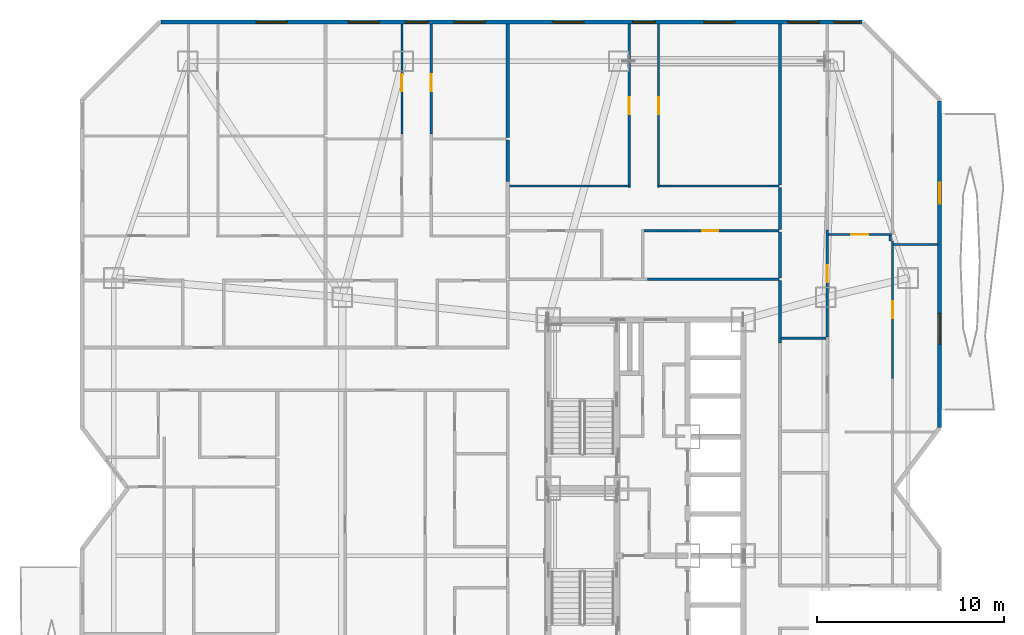
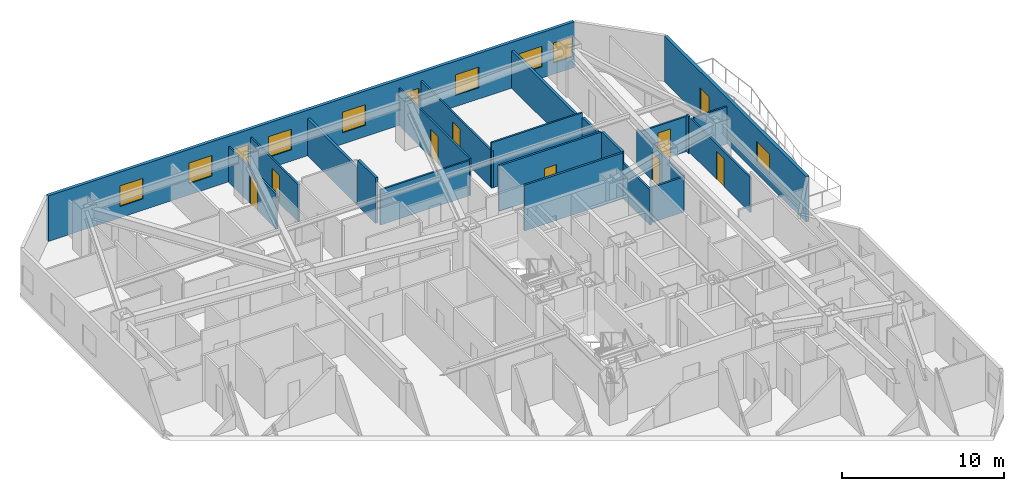
# One storey, part 13 of 16: 22 walls, 10 windows, 9 doors, 19 openings.
"""IFC4 building model written with IfcOpenShell, lengths in metres."""

from ifc_helpers import new_model, si_unit, direction, frame, frame_2d, origin, place, context, subcontext, project, spatial, rectangle, extrude, material, layer, layer_set, type_object, element, fill, save


model = new_model("IFC4")

# Units and contexts
model_context = context("Model", 3, precision=1e-05, world=origin(), true_north=direction((0.0, 1.0)))
body_context = subcontext(model_context, "Body", "Model", "MODEL_VIEW")
ifc_project = project(units=[si_unit("LENGTHUNIT", "METRE"), si_unit("AREAUNIT", "SQUARE_METRE"), si_unit("VOLUMEUNIT", "CUBIC_METRE"), si_unit("PLANEANGLEUNIT", "RADIAN"), si_unit("MASSUNIT", "GRAM", prefix="KILO")], contexts=[model_context])

# Site, building, storey
site_placement = place(None, origin())
site = spatial("IfcSite", under=ifc_project, at=site_placement, CompositionType="ELEMENT")
building_placement = place(site_placement, origin())
building = spatial("IfcBuilding", under=site, at=building_placement, Name="Khamvora Tower", CompositionType="ELEMENT")
storey_placement = place(building_placement, frame((0.0, 0.0, 66.14990234375)))
storey = spatial("IfcBuildingStorey", under=building, at=storey_placement, Name="L16", CompositionType="ELEMENT", Elevation=66.14990234375)

# Walls
ifc_material_1 = material(Name="Fire-Rated Drywall and Steel Stud", Category="steel")
ifc_layer_1 = layer(ifc_material_1, 0.14990234375)
ifc_layer_set_1 = layer_set([ifc_layer_1], Name="Fire-Rated Drywall and Steel Stud")
wall_type_1 = type_object("IfcWallType", Name="WAL-CORR-150", PredefinedType="STANDARD", material=ifc_layer_set_1)
wall_1_placement = place(storey_placement, frame((34.299072265625, 39.1650390625, 0.0), z_axis=(0.0, 0.0, 1.0), x_axis=(1.0, 0.0, 0.0)))
element("IfcWall", 1, at=wall_1_placement, inside=storey, type_object=wall_type_1, Name="L16 interior partition wall 034", PredefinedType="STANDARD", context=body_context, shape_type="SweptSolid", body=[
    extrude(rectangle(XDim=7.0009765625, YDim=0.14990234375, at=frame_2d((3.50048828125, 0.0))), origin(), (0.0, 0.0, 1.0), 3.43017578125),
])
wall_2_placement = place(storey_placement, frame((41.364990234375, 39.10009765625, 0.0), z_axis=(0.0, 0.0, 1.0), x_axis=(0.0, -1.0, 0.0)))
element("IfcWall", 2, at=wall_2_placement, inside=storey, type_object=wall_type_1, Name="L16 interior partition wall 040", PredefinedType="STANDARD", context=body_context, shape_type="SweptSolid", body=[
    extrude(rectangle(XDim=3.343017578125, YDim=0.14990234375, at=frame_2d((1.67138671875, 0.0))), origin(), (0.0, 0.0, 1.0), 2.647216796875),
])
ifc_material_2 = material(Name="Acoustic Double-Stud Fire Wall", Category="gypsum")
ifc_layer_2 = layer(ifc_material_2, 0.179931640625)
ifc_layer_set_2 = layer_set([ifc_layer_2], Name="Acoustic Double-Stud Fire Wall")
wall_type_2 = type_object("IfcWallType", Name="WAL-CORR-180", PredefinedType="STANDARD", material=ifc_layer_set_2)
wall_3_placement = place(storey_placement, frame((26.8349609375, 46.587890625, 0.0), z_axis=(0.0, 0.0, 1.0), x_axis=(0.0, -1.0, 0.0)))
element("IfcWall", 3, at=wall_3_placement, inside=storey, type_object=wall_type_2, Name="L16 interior partition wall 124", PredefinedType="STANDARD", context=body_context, shape_type="SweptSolid", body=[
    extrude(rectangle(XDim=2.204833984375, YDim=0.179931640625, at=frame_2d((1.1025390625, 0.0))), origin(), (0.0, 0.0, 1.0), 3.43017578125),
])
wall_4_placement = place(storey_placement, frame((26.8349609375, 52.7880859375, 0.0), z_axis=(0.0, 0.0, 1.0), x_axis=(0.0, -1.0, 0.0)))
element("IfcWall", 4, at=wall_4_placement, inside=storey, type_object=wall_type_2, Name="L16 interior partition wall 125", PredefinedType="STANDARD", context=body_context, shape_type="SweptSolid", body=[
    extrude(rectangle(XDim=6.070068359375, YDim=0.179931640625, at=frame_2d((3.03515625, 0.0))), origin(), (0.0, 0.0, 1.0), 2.802978515625),
])
wall_5_placement = place(storey_placement, frame((41.364990234375, 44.069091796875, 0.0), z_axis=(0.0, 0.0, 1.0), x_axis=(0.0, -1.0, 0.0)))
element("IfcWall", 5, at=wall_5_placement, inside=storey, type_object=wall_type_2, Name="L16 interior partition wall 145", PredefinedType="STANDARD", context=body_context, shape_type="SweptSolid", body=[
    extrude(rectangle(XDim=2.25, YDim=0.179931640625, at=frame_2d((1.125, 0.0))), origin(), (0.0, 0.0, 1.0), 3.065185546875),
])
wall_6_placement = place(storey_placement, frame((41.364990234375, 41.68896484375, 0.0), z_axis=(0.0, 0.0, 1.0), x_axis=(0.0, -1.0, 0.0)))
element("IfcWall", 6, at=wall_6_placement, inside=storey, type_object=wall_type_2, Name="L16 interior partition wall 146", PredefinedType="STANDARD", context=body_context, shape_type="SweptSolid", body=[
    extrude(rectangle(XDim=2.458984375, YDim=0.179931640625, at=frame_2d((1.2294921875, 0.0))), origin(), (0.0, 0.0, 1.0), 3.43017578125),
])
wall_7_placement = place(storey_placement, frame((41.364990234375, 52.7880859375, 0.0), z_axis=(0.0, 0.0, 1.0), x_axis=(0.0, -1.0, 0.0)))
element("IfcWall", 7, at=wall_7_placement, inside=storey, type_object=wall_type_2, Name="L16 interior partition wall 147", PredefinedType="STANDARD", context=body_context, shape_type="SweptSolid", body=[
    extrude(rectangle(XDim=8.589111328125, YDim=0.179931640625, at=frame_2d((4.29443359375, 0.0))), origin(), (0.0, 0.0, 1.0), 2.802978515625),
])

# Wall, openings, windows
ifc_material_3 = material(Name="Precast concrete C40/50", Category="concrete")
ifc_layer_3 = layer(ifc_material_3, 0.219970703125)
ifc_layer_set_3 = layer_set([ifc_layer_3], Name="Precast concrete C40/50")
wall_type_3 = type_object("IfcWallType", Name="WAL-EXT-220", PredefinedType="STANDARD", material=ifc_layer_set_3)
wall_8_placement = place(storey_placement, frame((8.31494140625, 52.889892578125, 0.0), z_axis=(0.0, 0.0, 1.0), x_axis=(1.0, 0.0, 0.0)))
wall_8 = element("IfcWall", 8, at=wall_8_placement, inside=storey, type_object=wall_type_3, Name="L16 exterior facade wall 07.1", PredefinedType="STANDARD", context=body_context, shape_type="SweptSolid", body=[
    extrude(rectangle(XDim=37.43896484375, YDim=0.219970703125, at=frame_2d((18.719482421875, 0.0))), origin(), (0.0, 0.0, 1.0), 3.43017578125),
])
opening_1_placement = place(wall_8_placement, frame((5.093017578125, 0.0, 0.85009765625)))
opening_1 = element("IfcOpeningElement", 9, at=opening_1_placement, cuts=wall_8, Name="Opening WN-06", PredefinedType="OPENING", context=body_context, shape_type="SweptSolid", body=[
    extrude(rectangle(XDim=1.64990234375, YDim=1.550048828125, at=frame_2d((0.824951171875, 0.77490234375))), frame((0.0, 0.119873046875, 0.0), z_axis=(0.0, -1.0, 0.0), x_axis=(1.0, 0.0, 0.0)), (0.0, 0.0, 1.0), 0.239990234375),
])
opening_2_placement = place(wall_8_placement, frame((13.054931640625, 0.0, 0.800048828125)))
opening_2 = element("IfcOpeningElement", 10, at=opening_2_placement, cuts=wall_8, Name="Opening WN-03", PredefinedType="OPENING", context=body_context, shape_type="SweptSolid", body=[
    extrude(rectangle(XDim=1.199951171875, YDim=1.5, at=frame_2d((0.60009765625, 0.75))), frame((0.0, 0.119873046875, 0.0), z_axis=(0.0, -1.0, 0.0), x_axis=(1.0, 0.0, 0.0)), (0.0, 0.0, 1.0), 0.239990234375),
])
opening_3_placement = place(wall_8_placement, frame((10.0048828125, 0.0, 0.85009765625)))
opening_3 = element("IfcOpeningElement", 11, at=opening_3_placement, cuts=wall_8, Name="Opening WN-06", PredefinedType="OPENING", context=body_context, shape_type="SweptSolid", body=[
    extrude(rectangle(XDim=1.64990234375, YDim=1.550048828125, at=frame_2d((0.824951171875, 0.77490234375))), frame((0.0, 0.119873046875, 0.0), z_axis=(0.0, -1.0, 0.0), x_axis=(1.0, 0.0, 0.0)), (0.0, 0.0, 1.0), 0.239990234375),
])
opening_4_placement = place(wall_8_placement, frame((15.655029296875, 0.0, 0.85009765625)))
opening_4 = element("IfcOpeningElement", 12, at=opening_4_placement, cuts=wall_8, Name="Opening WN-06", PredefinedType="OPENING", context=body_context, shape_type="SweptSolid", body=[
    extrude(rectangle(XDim=1.64990234375, YDim=1.550048828125, at=frame_2d((0.824951171875, 0.77490234375))), frame((0.0, 0.119873046875, 0.0), z_axis=(0.0, -1.0, 0.0), x_axis=(1.0, 0.0, 0.0)), (0.0, 0.0, 1.0), 0.239990234375),
])
opening_5_placement = place(wall_8_placement, frame((25.18505859375, 0.0, 0.800048828125)))
opening_5 = element("IfcOpeningElement", 13, at=opening_5_placement, cuts=wall_8, Name="Opening WN-03", PredefinedType="OPENING", context=body_context, shape_type="SweptSolid", body=[
    extrude(rectangle(XDim=1.199951171875, YDim=1.5, at=frame_2d((0.60009765625, 0.75))), frame((0.0, 0.119873046875, 0.0), z_axis=(0.0, -1.0, 0.0), x_axis=(1.0, 0.0, 0.0)), (0.0, 0.0, 1.0), 0.239990234375),
])
opening_6_placement = place(wall_8_placement, frame((20.93505859375, 0.0, 0.85009765625)))
opening_6 = element("IfcOpeningElement", 14, at=opening_6_placement, cuts=wall_8, Name="Opening WN-06", PredefinedType="OPENING", context=body_context, shape_type="SweptSolid", body=[
    extrude(rectangle(XDim=1.64990234375, YDim=1.550048828125, at=frame_2d((0.824951171875, 0.77490234375))), frame((0.0, 0.119873046875, 0.0), z_axis=(0.0, -1.0, 0.0), x_axis=(1.0, 0.0, 0.0)), (0.0, 0.0, 1.0), 0.239990234375),
])
opening_7_placement = place(wall_8_placement, frame((28.985107421875, 0.0, 0.85009765625)))
opening_7 = element("IfcOpeningElement", 15, at=opening_7_placement, cuts=wall_8, Name="Opening WN-06", PredefinedType="OPENING", context=body_context, shape_type="SweptSolid", body=[
    extrude(rectangle(XDim=1.64990234375, YDim=1.550048828125, at=frame_2d((0.824951171875, 0.77490234375))), frame((0.0, 0.119873046875, 0.0), z_axis=(0.0, -1.0, 0.0), x_axis=(1.0, 0.0, 0.0)), (0.0, 0.0, 1.0), 0.239990234375),
])
opening_8_placement = place(wall_8_placement, frame((33.489990234375, 0.0, 0.85009765625)))
opening_8 = element("IfcOpeningElement", 16, at=opening_8_placement, cuts=wall_8, Name="Opening WN-06", PredefinedType="OPENING", context=body_context, shape_type="SweptSolid", body=[
    extrude(rectangle(XDim=1.64990234375, YDim=1.550048828125, at=frame_2d((0.824951171875, 0.77490234375))), frame((0.0, 0.119873046875, 0.0), z_axis=(0.0, -1.0, 0.0), x_axis=(1.0, 0.0, 0.0)), (0.0, 0.0, 1.0), 0.239990234375),
])
opening_9_placement = place(wall_8_placement, frame((35.94189453125, 0.0, 0.85009765625)))
opening_9 = element("IfcOpeningElement", 17, at=opening_9_placement, cuts=wall_8, Name="Opening WN-07", PredefinedType="OPENING", context=body_context, shape_type="SweptSolid", body=[
    extrude(rectangle(XDim=1.35009765625, YDim=1.5, at=frame_2d((0.675048828125, 0.75))), frame((0.0, 0.119873046875, 0.0), z_axis=(0.0, -1.0, 0.0), x_axis=(1.0, 0.0, 0.0)), (0.0, 0.0, 1.0), 0.239990234375),
])
ifc_material_4 = material(Name="Low-E Laminated Double Glazing", Category="glass")
window_type_1 = type_object("IfcWindowType", Name="WIN-VIS-1200x1500", PartitioningType="SINGLE_PANEL", PredefinedType="WINDOW", material=ifc_material_4)
window_1_placement = place(opening_2_placement, origin())
window_1 = element("IfcWindow", 18, at=window_1_placement, inside=storey, type_object=window_type_1, Name="L16 vision window 07.1.02", OverallHeight=1.5, OverallWidth=1.199951171875, PartitioningType="SINGLE_PANEL", PredefinedType="WINDOW", context=body_context, shape_type="SweptSolid", body=[
    extrude(rectangle(XDim=1.199951171875, YDim=1.5, at=frame_2d((0.60009765625, 0.75))), frame((0.0, 0.030029296875, 0.0), z_axis=(0.0, -1.0, 0.0), x_axis=(1.0, 0.0, 0.0)), (0.0, 0.0, 1.0), 0.06005859375),
])
fill(opening_2, window_1)
window_2_placement = place(opening_5_placement, origin())
window_2 = element("IfcWindow", 19, at=window_2_placement, inside=storey, type_object=window_type_1, Name="L16 vision window 07.1.05", OverallHeight=1.5, OverallWidth=1.199951171875, PartitioningType="SINGLE_PANEL", PredefinedType="WINDOW", context=body_context, shape_type="SweptSolid", body=[
    extrude(rectangle(XDim=1.199951171875, YDim=1.5, at=frame_2d((0.60009765625, 0.75))), frame((0.0, 0.030029296875, 0.0), z_axis=(0.0, -1.0, 0.0), x_axis=(1.0, 0.0, 0.0)), (0.0, 0.0, 1.0), 0.06005859375),
])
fill(opening_5, window_2)
window_type_2 = type_object("IfcWindowType", Name="WIN-VIS-1350x1500", PartitioningType="SINGLE_PANEL", PredefinedType="WINDOW", material=ifc_material_4)
window_3_placement = place(opening_9_placement, origin())
window_3 = element("IfcWindow", 20, at=window_3_placement, inside=storey, type_object=window_type_2, Name="L16 vision window 07.1.09", OverallHeight=1.5, OverallWidth=1.35009765625, PartitioningType="SINGLE_PANEL", PredefinedType="WINDOW", context=body_context, shape_type="SweptSolid", body=[
    extrude(rectangle(XDim=1.35009765625, YDim=1.5, at=frame_2d((0.675048828125, 0.75))), frame((0.0, 0.030029296875, 0.0), z_axis=(0.0, -1.0, 0.0), x_axis=(1.0, 0.0, 0.0)), (0.0, 0.0, 1.0), 0.06005859375),
])
fill(opening_9, window_3)
window_type_3 = type_object("IfcWindowType", Name="WIN-VIS-1650x1550", PartitioningType="SINGLE_PANEL", PredefinedType="WINDOW", material=ifc_material_4)
window_4_placement = place(opening_1_placement, origin())
window_4 = element("IfcWindow", 21, at=window_4_placement, inside=storey, type_object=window_type_3, Name="L16 vision window 07.1.01", OverallHeight=1.550048828125, OverallWidth=1.64990234375, PartitioningType="SINGLE_PANEL", PredefinedType="WINDOW", context=body_context, shape_type="SweptSolid", body=[
    extrude(rectangle(XDim=1.64990234375, YDim=1.550048828125, at=frame_2d((0.824951171875, 0.77490234375))), frame((0.0, 0.030029296875, 0.0), z_axis=(0.0, -1.0, 0.0), x_axis=(1.0, 0.0, 0.0)), (0.0, 0.0, 1.0), 0.06005859375),
])
fill(opening_1, window_4)
window_5_placement = place(opening_3_placement, origin())
window_5 = element("IfcWindow", 22, at=window_5_placement, inside=storey, type_object=window_type_3, Name="L16 vision window 07.1.03", OverallHeight=1.550048828125, OverallWidth=1.64990234375, PartitioningType="SINGLE_PANEL", PredefinedType="WINDOW", context=body_context, shape_type="SweptSolid", body=[
    extrude(rectangle(XDim=1.64990234375, YDim=1.550048828125, at=frame_2d((0.824951171875, 0.77490234375))), frame((0.0, 0.030029296875, 0.0), z_axis=(0.0, -1.0, 0.0), x_axis=(1.0, 0.0, 0.0)), (0.0, 0.0, 1.0), 0.06005859375),
])
fill(opening_3, window_5)
window_6_placement = place(opening_4_placement, origin())
window_6 = element("IfcWindow", 23, at=window_6_placement, inside=storey, type_object=window_type_3, Name="L16 vision window 07.1.04", OverallHeight=1.550048828125, OverallWidth=1.64990234375, PartitioningType="SINGLE_PANEL", PredefinedType="WINDOW", context=body_context, shape_type="SweptSolid", body=[
    extrude(rectangle(XDim=1.64990234375, YDim=1.550048828125, at=frame_2d((0.824951171875, 0.77490234375))), frame((0.0, 0.030029296875, 0.0), z_axis=(0.0, -1.0, 0.0), x_axis=(1.0, 0.0, 0.0)), (0.0, 0.0, 1.0), 0.06005859375),
])
fill(opening_4, window_6)
window_7_placement = place(opening_6_placement, origin())
window_7 = element("IfcWindow", 24, at=window_7_placement, inside=storey, type_object=window_type_3, Name="L16 vision window 07.1.06", OverallHeight=1.550048828125, OverallWidth=1.64990234375, PartitioningType="SINGLE_PANEL", PredefinedType="WINDOW", context=body_context, shape_type="SweptSolid", body=[
    extrude(rectangle(XDim=1.64990234375, YDim=1.550048828125, at=frame_2d((0.824951171875, 0.77490234375))), frame((0.0, 0.030029296875, 0.0), z_axis=(0.0, -1.0, 0.0), x_axis=(1.0, 0.0, 0.0)), (0.0, 0.0, 1.0), 0.06005859375),
])
fill(opening_6, window_7)
window_8_placement = place(opening_7_placement, origin())
window_8 = element("IfcWindow", 25, at=window_8_placement, inside=storey, type_object=window_type_3, Name="L16 vision window 07.1.07", OverallHeight=1.550048828125, OverallWidth=1.64990234375, PartitioningType="SINGLE_PANEL", PredefinedType="WINDOW", context=body_context, shape_type="SweptSolid", body=[
    extrude(rectangle(XDim=1.64990234375, YDim=1.550048828125, at=frame_2d((0.824951171875, 0.77490234375))), frame((0.0, 0.030029296875, 0.0), z_axis=(0.0, -1.0, 0.0), x_axis=(1.0, 0.0, 0.0)), (0.0, 0.0, 1.0), 0.06005859375),
])
fill(opening_7, window_8)
window_9_placement = place(opening_8_placement, origin())
window_9 = element("IfcWindow", 26, at=window_9_placement, inside=storey, type_object=window_type_3, Name="L16 vision window 07.1.08", OverallHeight=1.550048828125, OverallWidth=1.64990234375, PartitioningType="SINGLE_PANEL", PredefinedType="WINDOW", context=body_context, shape_type="SweptSolid", body=[
    extrude(rectangle(XDim=1.64990234375, YDim=1.550048828125, at=frame_2d((0.824951171875, 0.77490234375))), frame((0.0, 0.030029296875, 0.0), z_axis=(0.0, -1.0, 0.0), x_axis=(1.0, 0.0, 0.0)), (0.0, 0.0, 1.0), 0.06005859375),
])
fill(opening_8, window_9)

# Wall, openings, door, window
wall_9_placement = place(storey_placement, frame((49.889892578125, 48.68310546875, 0.0), z_axis=(0.0, 0.0, 1.0), x_axis=(0.0, -1.0, 0.0)))
wall_9 = element("IfcWall", 27, at=wall_9_placement, inside=storey, type_object=wall_type_3, Name="L16 exterior facade wall 09.1", PredefinedType="STANDARD", context=body_context, shape_type="SweptSolid", body=[
    extrude(rectangle(XDim=17.446044921875, YDim=0.219970703125, at=frame_2d((8.72314453125, 0.0))), origin(), (0.0, 0.0, 1.0), 3.43017578125),
])
opening_10_placement = place(wall_9_placement, frame((4.37890625, 0.0, 0.0)))
opening_10 = element("IfcOpeningElement", 28, at=opening_10_placement, cuts=wall_9, Name="Opening BD-01", PredefinedType="OPENING", context=body_context, shape_type="SweptSolid", body=[
    extrude(rectangle(XDim=1.10009765625, YDim=2.199951171875, at=frame_2d((0.550048828125, 1.10009765625))), frame((0.0, 0.119873046875, 0.0), z_axis=(0.0, -1.0, 0.0), x_axis=(1.0, 0.0, 0.0)), (0.0, 0.0, 1.0), 0.239990234375),
])
opening_11_placement = place(wall_9_placement, frame((11.339111328125, 0.0, 0.85009765625)))
opening_11 = element("IfcOpeningElement", 29, at=opening_11_placement, cuts=wall_9, Name="Opening WN-06", PredefinedType="OPENING", context=body_context, shape_type="SweptSolid", body=[
    extrude(rectangle(XDim=1.64990234375, YDim=1.550048828125, at=frame_2d((0.824951171875, 0.77490234375))), frame((0.0, 0.119873046875, 0.0), z_axis=(0.0, -1.0, 0.0), x_axis=(1.0, 0.0, 0.0)), (0.0, 0.0, 1.0), 0.239990234375),
])
ifc_material_5 = material(Name="Anodised Aluminium and Laminated Safety Glass", Category="aluminium")
door_type_1 = type_object("IfcDoorType", Name="DOR-BAL-1100", OperationType="NOTDEFINED", PredefinedType="DOOR", material=ifc_material_5)
door_1_placement = place(opening_10_placement, origin())
door_1 = element("IfcDoor", 30, at=door_1_placement, inside=storey, type_object=door_type_1, Name="L16 lens gallery balcony door EL2", OperationType="SLIDING_TO_LEFT", OverallHeight=2.199951171875, OverallWidth=1.10009765625, PredefinedType="DOOR", context=body_context, shape_type="SweptSolid", body=[
    extrude(rectangle(XDim=1.10009765625, YDim=2.199951171875, at=frame_2d((0.550048828125, 1.10009765625))), frame((0.0, 0.02490234375, 0.0), z_axis=(0.0, -1.0, 0.0), x_axis=(1.0, 0.0, 0.0)), (0.0, 0.0, 1.0), 0.050048828125),
])
fill(opening_10, door_1)
window_10_placement = place(opening_11_placement, origin())
window_10 = element("IfcWindow", 31, at=window_10_placement, inside=storey, type_object=window_type_3, Name="L16 vision window 09.1.01", OverallHeight=1.550048828125, OverallWidth=1.64990234375, PartitioningType="SINGLE_PANEL", PredefinedType="WINDOW", context=body_context, shape_type="SweptSolid", body=[
    extrude(rectangle(XDim=1.64990234375, YDim=1.550048828125, at=frame_2d((0.824951171875, 0.77490234375))), frame((0.0, 0.030029296875, 0.0), z_axis=(0.0, -1.0, 0.0), x_axis=(1.0, 0.0, 0.0)), (0.0, 0.0, 1.0), 0.06005859375),
])
fill(opening_11, window_10)

# Wall, opening, door
ifc_material_6 = material(Name="Gypsum Plasterboard Partition", Category="gypsum")
ifc_layer_4 = layer(ifc_material_6, 0.1201171875)
ifc_layer_set_4 = layer_set([ifc_layer_4], Name="Gypsum Plasterboard Partition")
wall_type_4 = type_object("IfcWallType", Name="WAL-PART-120", PredefinedType="PARTITIONING", material=ifc_layer_set_4)
wall_10_placement = place(storey_placement, frame((21.18505859375, 46.902099609375, 0.0), z_axis=(0.0, 0.0, 1.0), x_axis=(0.0, 1.0, 0.0)))
wall_10 = element("IfcWall", 32, at=wall_10_placement, inside=storey, type_object=wall_type_4, Name="L16 interior partition wall 116", PredefinedType="PARTITIONING", context=body_context, shape_type="SweptSolid", body=[
    extrude(rectangle(XDim=5.885986328125, YDim=0.1201171875, at=frame_2d((2.94287109375, 0.0))), origin(), (0.0, 0.0, 1.0), 2.647216796875),
])
opening_12_placement = place(wall_10_placement, frame((2.305908203125, 0.0, 0.0)))
opening_12 = element("IfcOpeningElement", 33, at=opening_12_placement, cuts=wall_10, Name="Opening D-RM1", PredefinedType="OPENING", context=body_context, shape_type="SweptSolid", body=[
    extrude(rectangle(XDim=0.89990234375, YDim=2.10009765625, at=frame_2d((0.449951171875, 1.050048828125))), frame((0.0, 0.070068359375, 0.0), z_axis=(0.0, -1.0, 0.0), x_axis=(1.0, 0.0, 0.0)), (0.0, 0.0, 1.0), 0.14013671875),
])
ifc_material_7 = material(Name="Powder-Coated Steel and Hardwood Leaf", Category="steel")
door_type_2 = type_object("IfcDoorType", Name="DOR-ROOM-900", OperationType="NOTDEFINED", PredefinedType="DOOR", material=ifc_material_7)
door_2_placement = place(opening_12_placement, origin())
door_2 = element("IfcDoor", 34, at=door_2_placement, inside=storey, type_object=door_type_2, Name="L16 interior door 16WCH-16WCR2", OperationType="SINGLE_SWING_LEFT", OverallHeight=2.10009765625, OverallWidth=0.89990234375, PredefinedType="DOOR", context=body_context, shape_type="SweptSolid", body=[
    extrude(rectangle(XDim=0.89990234375, YDim=2.10009765625, at=frame_2d((0.449951171875, 1.050048828125))), frame((0.0, 0.02490234375, 0.0), z_axis=(0.0, -1.0, 0.0), x_axis=(1.0, 0.0, 0.0)), (0.0, 0.0, 1.0), 0.050048828125),
])
fill(opening_12, door_2)

wall_11_placement = place(storey_placement, frame((22.7548828125, 52.7880859375, 0.0), z_axis=(0.0, 0.0, 1.0), x_axis=(0.0, -1.0, 0.0)))
wall_11 = element("IfcWall", 35, at=wall_11_placement, inside=storey, type_object=wall_type_4, Name="L16 interior partition wall 119", PredefinedType="PARTITIONING", context=body_context, shape_type="SweptSolid", body=[
    extrude(rectangle(XDim=5.885986328125, YDim=0.1201171875, at=frame_2d((2.94287109375, 0.0))), origin(), (0.0, 0.0, 1.0), 2.802978515625),
])
opening_13_placement = place(wall_11_placement, frame((2.679931640625, 0.0, 0.0)))
opening_13 = element("IfcOpeningElement", 36, at=opening_13_placement, cuts=wall_11, Name="Opening D-RM1", PredefinedType="OPENING", context=body_context, shape_type="SweptSolid", body=[
    extrude(rectangle(XDim=0.89990234375, YDim=2.10009765625, at=frame_2d((0.449951171875, 1.050048828125))), frame((0.0, 0.070068359375, 0.0), z_axis=(0.0, -1.0, 0.0), x_axis=(1.0, 0.0, 0.0)), (0.0, 0.0, 1.0), 0.14013671875),
])
door_3_placement = place(opening_13_placement, origin())
door_3 = element("IfcDoor", 37, at=door_3_placement, inside=storey, type_object=door_type_2, Name="L16 interior door 16WCH-16WCR4", OperationType="SINGLE_SWING_RIGHT", OverallHeight=2.10009765625, OverallWidth=0.89990234375, PredefinedType="DOOR", context=body_context, shape_type="SweptSolid", body=[
    extrude(rectangle(XDim=0.89990234375, YDim=2.10009765625, at=frame_2d((0.449951171875, 1.050048828125))), frame((0.0, 0.02490234375, 0.0), z_axis=(0.0, -1.0, 0.0), x_axis=(1.0, 0.0, 0.0)), (0.0, 0.0, 1.0), 0.050048828125),
])
fill(opening_13, door_3)

# Wall
wall_12_placement = place(storey_placement, frame((26.9169921875, 44.134033203125, 0.0), z_axis=(0.0, 0.0, 1.0), x_axis=(1.0, 0.0, 0.0)))
element("IfcWall", 38, at=wall_12_placement, inside=storey, type_object=wall_type_4, Name="L16 interior partition wall 141", PredefinedType="PARTITIONING", context=body_context, shape_type="SweptSolid", body=[
    extrude(rectangle(XDim=6.462890625, YDim=0.1201171875, at=frame_2d((3.2314453125, 0.0))), origin(), (0.0, 0.0, 1.0), 2.647216796875),
])

# Wall, opening, door
wall_13_placement = place(storey_placement, frame((33.31494140625, 44.069091796875, 0.0), z_axis=(0.0, 0.0, 1.0), x_axis=(0.0, 1.0, 0.0)))
wall_13 = element("IfcWall", 39, at=wall_13_placement, inside=storey, type_object=wall_type_4, Name="L16 interior partition wall 142", PredefinedType="PARTITIONING", context=body_context, shape_type="SweptSolid", body=[
    extrude(rectangle(XDim=8.718994140625, YDim=0.1201171875, at=frame_2d((4.359375, 0.0))), origin(), (0.0, 0.0, 1.0), 2.802978515625),
])
opening_14_placement = place(wall_13_placement, frame((3.908935546875, 0.0, 0.0)))
opening_14 = element("IfcOpeningElement", 40, at=opening_14_placement, cuts=wall_13, Name="Opening D-RM1", PredefinedType="OPENING", context=body_context, shape_type="SweptSolid", body=[
    extrude(rectangle(XDim=0.89990234375, YDim=2.10009765625, at=frame_2d((0.449951171875, 1.050048828125))), frame((0.0, 0.070068359375, 0.0), z_axis=(0.0, -1.0, 0.0), x_axis=(1.0, 0.0, 0.0)), (0.0, 0.0, 1.0), 0.14013671875),
])
door_4_placement = place(opening_14_placement, origin())
door_4 = element("IfcDoor", 41, at=door_4_placement, inside=storey, type_object=door_type_2, Name="L16 interior door 16NAH-16NAR1", OperationType="SINGLE_SWING_RIGHT", OverallHeight=2.10009765625, OverallWidth=0.89990234375, PredefinedType="DOOR", context=body_context, shape_type="SweptSolid", body=[
    extrude(rectangle(XDim=0.89990234375, YDim=2.10009765625, at=frame_2d((0.449951171875, 1.050048828125))), frame((0.0, 0.02490234375, 0.0), z_axis=(0.0, -1.0, 0.0), x_axis=(1.0, 0.0, 0.0)), (0.0, 0.0, 1.0), 0.050048828125),
])
fill(opening_14, door_4)

wall_14_placement = place(storey_placement, frame((34.885009765625, 52.7880859375, 0.0), z_axis=(0.0, 0.0, 1.0), x_axis=(0.0, -1.0, 0.0)))
wall_14 = element("IfcWall", 42, at=wall_14_placement, inside=storey, type_object=wall_type_4, Name="L16 interior partition wall 143", PredefinedType="PARTITIONING", context=body_context, shape_type="SweptSolid", body=[
    extrude(rectangle(XDim=8.718994140625, YDim=0.1201171875, at=frame_2d((4.359375, 0.0))), origin(), (0.0, 0.0, 1.0), 2.802978515625),
])
opening_15_placement = place(wall_14_placement, frame((3.908935546875, 0.0, 0.0)))
opening_15 = element("IfcOpeningElement", 43, at=opening_15_placement, cuts=wall_14, Name="Opening D-RM1", PredefinedType="OPENING", context=body_context, shape_type="SweptSolid", body=[
    extrude(rectangle(XDim=0.89990234375, YDim=2.10009765625, at=frame_2d((0.449951171875, 1.050048828125))), frame((0.0, 0.070068359375, 0.0), z_axis=(0.0, -1.0, 0.0), x_axis=(1.0, 0.0, 0.0)), (0.0, 0.0, 1.0), 0.14013671875),
])
door_5_placement = place(opening_15_placement, origin())
door_5 = element("IfcDoor", 44, at=door_5_placement, inside=storey, type_object=door_type_2, Name="L16 interior door 16NAH-16NAR2", OperationType="SINGLE_SWING_LEFT", OverallHeight=2.10009765625, OverallWidth=0.89990234375, PredefinedType="DOOR", context=body_context, shape_type="SweptSolid", body=[
    extrude(rectangle(XDim=0.89990234375, YDim=2.10009765625, at=frame_2d((0.449951171875, 1.050048828125))), frame((0.0, 0.02490234375, 0.0), z_axis=(0.0, -1.0, 0.0), x_axis=(1.0, 0.0, 0.0)), (0.0, 0.0, 1.0), 0.050048828125),
])
fill(opening_15, door_5)

# Wall
wall_15_placement = place(storey_placement, frame((34.820068359375, 44.134033203125, 0.0), z_axis=(0.0, 0.0, 1.0), x_axis=(1.0, 0.0, 0.0)))
element("IfcWall", 45, at=wall_15_placement, inside=storey, type_object=wall_type_4, Name="L16 interior partition wall 144", PredefinedType="PARTITIONING", context=body_context, shape_type="SweptSolid", body=[
    extrude(rectangle(XDim=6.47998046875, YDim=0.1201171875, at=frame_2d((3.239990234375, 0.0))), origin(), (0.0, 0.0, 1.0), 3.43017578125),
])

# Wall, opening, door
wall_16_placement = place(storey_placement, frame((43.89501953125, 41.800048828125, 0.0), z_axis=(0.0, 0.0, 1.0), x_axis=(0.0, -1.0, 0.0)))
wall_16 = element("IfcWall", 46, at=wall_16_placement, inside=storey, type_object=wall_type_4, Name="L16 interior partition wall 160", PredefinedType="PARTITIONING", context=body_context, shape_type="SweptSolid", body=[
    extrude(rectangle(XDim=5.72900390625, YDim=0.1201171875, at=frame_2d((2.864501953125, 0.0))), origin(), (0.0, 0.0, 1.0), 2.647216796875),
])
opening_16_placement = place(wall_16_placement, frame((1.89892578125, 0.0, 0.0)))
opening_16 = element("IfcOpeningElement", 47, at=opening_16_placement, cuts=wall_16, Name="Opening D-RM1", PredefinedType="OPENING", context=body_context, shape_type="SweptSolid", body=[
    extrude(rectangle(XDim=0.89990234375, YDim=2.10009765625, at=frame_2d((0.449951171875, 1.050048828125))), frame((0.0, 0.070068359375, 0.0), z_axis=(0.0, -1.0, 0.0), x_axis=(1.0, 0.0, 0.0)), (0.0, 0.0, 1.0), 0.14013671875),
])
door_6_placement = place(opening_16_placement, origin())
door_6 = element("IfcDoor", 48, at=door_6_placement, inside=storey, type_object=door_type_2, Name="L16 interior door 16EBW2-16EBH", OperationType="SINGLE_SWING_LEFT", OverallHeight=2.10009765625, OverallWidth=0.89990234375, PredefinedType="DOOR", context=body_context, shape_type="SweptSolid", body=[
    extrude(rectangle(XDim=0.89990234375, YDim=2.10009765625, at=frame_2d((0.449951171875, 1.050048828125))), frame((0.0, 0.02490234375, 0.0), z_axis=(0.0, -1.0, 0.0), x_axis=(1.0, 0.0, 0.0)), (0.0, 0.0, 1.0), 0.050048828125),
])
fill(opening_16, door_6)

wall_17_placement = place(storey_placement, frame((43.948974609375, 41.551025390625, 0.0), z_axis=(0.0, 0.0, 1.0), x_axis=(1.0, 0.0, 0.0)))
wall_17 = element("IfcWall", 49, at=wall_17_placement, inside=storey, type_object=wall_type_4, Name="L16 interior partition wall 163", PredefinedType="PARTITIONING", context=body_context, shape_type="SweptSolid", body=[
    extrude(rectangle(XDim=3.361083984375, YDim=0.1201171875, at=frame_2d((1.6806640625, 0.0))), origin(), (0.0, 0.0, 1.0), 2.647216796875),
])
opening_17_placement = place(wall_17_placement, frame((1.23095703125, 0.0, 0.0)))
opening_17 = element("IfcOpeningElement", 50, at=opening_17_placement, cuts=wall_17, Name="Opening D-RM1", PredefinedType="OPENING", context=body_context, shape_type="SweptSolid", body=[
    extrude(rectangle(XDim=0.89990234375, YDim=2.10009765625, at=frame_2d((0.449951171875, 1.050048828125))), frame((0.0, 0.070068359375, 0.0), z_axis=(0.0, -1.0, 0.0), x_axis=(1.0, 0.0, 0.0)), (0.0, 0.0, 1.0), 0.14013671875),
])
door_7_placement = place(opening_17_placement, origin())
door_7 = element("IfcDoor", 51, at=door_7_placement, inside=storey, type_object=door_type_2, Name="L16 interior door 16EBH-16EBD", OperationType="SINGLE_SWING_LEFT", OverallHeight=2.10009765625, OverallWidth=0.89990234375, PredefinedType="DOOR", context=body_context, shape_type="SweptSolid", body=[
    extrude(rectangle(XDim=0.89990234375, YDim=2.10009765625, at=frame_2d((0.449951171875, 1.050048828125))), frame((0.0, 0.02490234375, 0.0), z_axis=(0.0, -1.0, 0.0), x_axis=(1.0, 0.0, 0.0)), (0.0, 0.0, 1.0), 0.050048828125),
])
fill(opening_17, door_7)

# Wall
wall_18_placement = place(storey_placement, frame((47.2451171875, 41.486083984375, 0.0), z_axis=(0.0, 0.0, 1.0), x_axis=(0.0, -1.0, 0.0)))
element("IfcWall", 52, at=wall_18_placement, inside=storey, type_object=wall_type_4, Name="L16 interior partition wall 164", PredefinedType="PARTITIONING", context=body_context, shape_type="SweptSolid", body=[
    extrude(rectangle(XDim=0.275146484375, YDim=0.1201171875, at=frame_2d((0.1376953125, 0.0))), origin(), (0.0, 0.0, 1.0), 2.802978515625),
])

# Wall, opening, door
wall_19_placement = place(storey_placement, frame((47.375, 41.2109375, 0.0), z_axis=(0.0, 0.0, 1.0), x_axis=(0.0, -1.0, 0.0)))
wall_19 = element("IfcWall", 53, at=wall_19_placement, inside=storey, type_object=wall_type_4, Name="L16 interior partition wall 170", PredefinedType="PARTITIONING", context=body_context, shape_type="SweptSolid", body=[
    extrude(rectangle(XDim=7.348876953125, YDim=0.1201171875, at=frame_2d((3.67431640625, 0.0))), origin(), (0.0, 0.0, 1.0), 2.647216796875),
])
opening_18_placement = place(wall_19_placement, frame((3.22412109375, 0.0, 0.0)))
opening_18 = element("IfcOpeningElement", 54, at=opening_18_placement, cuts=wall_19, Name="Opening D-RM1", PredefinedType="OPENING", context=body_context, shape_type="SweptSolid", body=[
    extrude(rectangle(XDim=0.89990234375, YDim=2.10009765625, at=frame_2d((0.449951171875, 1.050048828125))), frame((0.0, 0.070068359375, 0.0), z_axis=(0.0, -1.0, 0.0), x_axis=(1.0, 0.0, 0.0)), (0.0, 0.0, 1.0), 0.14013671875),
])
door_8_placement = place(opening_18_placement, origin())
door_8 = element("IfcDoor", 55, at=door_8_placement, inside=storey, type_object=door_type_2, Name="L16 interior door 16EBH-16EBR2", OperationType="SINGLE_SWING_RIGHT", OverallHeight=2.10009765625, OverallWidth=0.89990234375, PredefinedType="DOOR", context=body_context, shape_type="SweptSolid", body=[
    extrude(rectangle(XDim=0.89990234375, YDim=2.10009765625, at=frame_2d((0.449951171875, 1.050048828125))), frame((0.0, 0.02490234375, 0.0), z_axis=(0.0, -1.0, 0.0), x_axis=(1.0, 0.0, 0.0)), (0.0, 0.0, 1.0), 0.050048828125),
])
fill(opening_18, door_8)

# Wall
wall_20_placement = place(storey_placement, frame((47.428955078125, 41.01611328125, 0.0), z_axis=(0.0, 0.0, 1.0), x_axis=(1.0, 0.0, 0.0)))
element("IfcWall", 56, at=wall_20_placement, inside=storey, type_object=wall_type_4, Name="L16 interior partition wall 173", PredefinedType="PARTITIONING", context=body_context, shape_type="SweptSolid", body=[
    extrude(rectangle(XDim=2.359130859375, YDim=0.1201171875, at=frame_2d((1.1796875, 0.0))), origin(), (0.0, 0.0, 1.0), 2.802978515625),
])

# Wall, opening, door
ifc_material_8 = material(Name="Moisture-Resistant Plasterboard Partition", Category="gypsum")
ifc_layer_5 = layer(ifc_material_8, 0.135009765625)
ifc_layer_set_5 = layer_set([ifc_layer_5], Name="Moisture-Resistant Plasterboard Partition")
wall_type_5 = type_object("IfcWallType", Name="WAL-WET-135", PredefinedType="PARTITIONING", material=ifc_layer_set_5)
wall_21_placement = place(storey_placement, frame((41.300048828125, 41.75390625, 0.0), z_axis=(0.0, 0.0, 1.0), x_axis=(-1.0, 0.0, 0.0)))
wall_21 = element("IfcWall", 57, at=wall_21_placement, inside=storey, type_object=wall_type_5, Name="L16 interior partition wall 139", PredefinedType="PARTITIONING", context=body_context, shape_type="SweptSolid", body=[
    extrude(rectangle(XDim=7.31494140625, YDim=0.135009765625, at=frame_2d((3.657470703125, 0.0))), origin(), (0.0, 0.0, 1.0), 3.43017578125),
])
opening_19_placement = place(wall_21_placement, frame((3.23291015625, 0.0, 0.0)))
opening_19 = element("IfcOpeningElement", 58, at=opening_19_placement, cuts=wall_21, Name="Opening D-RM2", PredefinedType="OPENING", context=body_context, shape_type="SweptSolid", body=[
    extrude(rectangle(XDim=0.85009765625, YDim=2.10009765625, at=frame_2d((0.425048828125, 1.050048828125))), frame((0.0, 0.077392578125, 0.0), z_axis=(0.0, -1.0, 0.0), x_axis=(1.0, 0.0, 0.0)), (0.0, 0.0, 1.0), 0.155029296875),
])
door_type_3 = type_object("IfcDoorType", Name="DOR-ROOM-850", OperationType="NOTDEFINED", PredefinedType="DOOR", material=ifc_material_7)
door_9_placement = place(opening_19_placement, origin())
door_9 = element("IfcDoor", 59, at=door_9_placement, inside=storey, type_object=door_type_3, Name="L16 interior door 16NAH-16NAK", OperationType="SINGLE_SWING_LEFT", OverallHeight=2.10009765625, OverallWidth=0.85009765625, PredefinedType="DOOR", context=body_context, shape_type="SweptSolid", body=[
    extrude(rectangle(XDim=0.85009765625, YDim=2.10009765625, at=frame_2d((0.425048828125, 1.050048828125))), frame((0.0, 0.02490234375, 0.0), z_axis=(0.0, -1.0, 0.0), x_axis=(1.0, 0.0, 0.0)), (0.0, 0.0, 1.0), 0.050048828125),
])
fill(opening_19, door_9)

# Wall
wall_22_placement = place(storey_placement, frame((43.830078125, 36.006103515625, 0.0), z_axis=(0.0, 0.0, 1.0), x_axis=(-1.0, 0.0, 0.0)))
element("IfcWall", 60, at=wall_22_placement, inside=storey, type_object=wall_type_5, Name="L16 interior partition wall 162", PredefinedType="PARTITIONING", context=body_context, shape_type="SweptSolid", body=[
    extrude(rectangle(XDim=2.398193359375, YDim=0.135009765625, at=frame_2d((1.19921875, 0.0))), origin(), (0.0, 0.0, 1.0), 2.647216796875),
])

save(model, "model.ifc")
